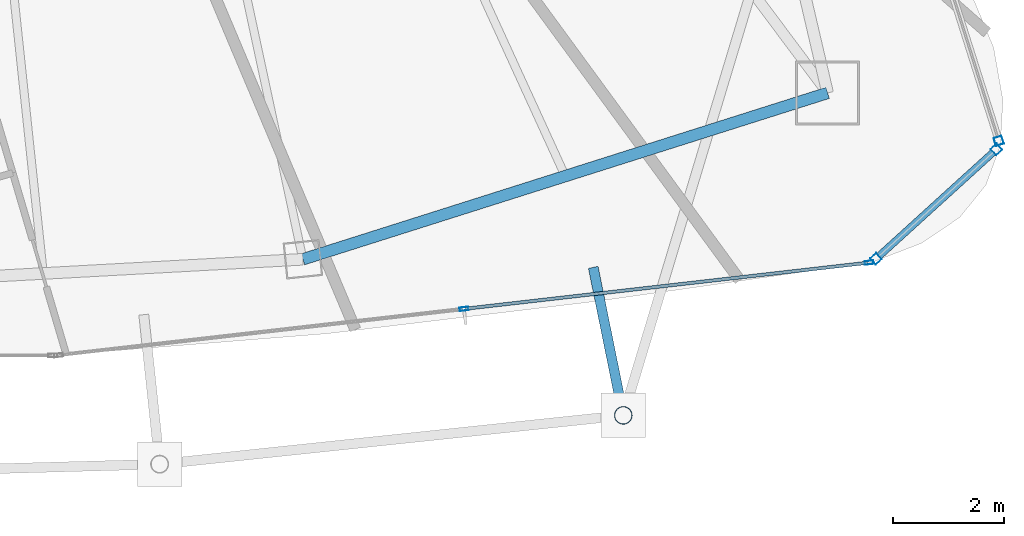
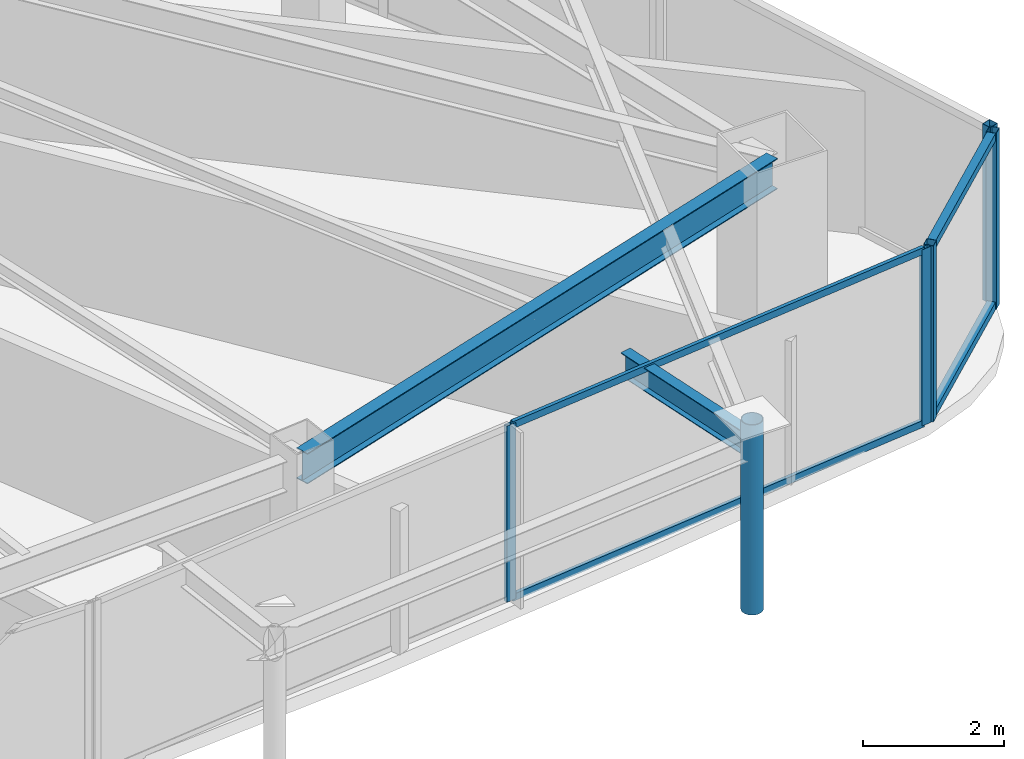
# One storey, part 14 of 28: 10 members, 2 beams, 3 elements without a shape of their own.
"""IFC4 building model written with IfcOpenShell, lengths in metres."""

from ifc_helpers import new_model, si_unit, direction, frame, origin, origin_2d, place, context, subcontext, project, spatial, hollow_rectangle, hollow_circle, i_section, extrude, material, layer, layer_set, material_profile, profile_set, type_object, element, aggregate, save


model = new_model("IFC4")

# Units and contexts
model_context = context("Model", 3, precision=1e-05, world=origin(), true_north=direction((0.0, 1.0)))
body_context = subcontext(model_context, "Body", "Model", "MODEL_VIEW")
ifc_project = project(units=[si_unit("LENGTHUNIT", "METRE"), si_unit("AREAUNIT", "SQUARE_METRE"), si_unit("VOLUMEUNIT", "CUBIC_METRE"), si_unit("PLANEANGLEUNIT", "RADIAN"), si_unit("MASSUNIT", "GRAM", prefix="KILO")], contexts=[model_context])

# Site, building, storey
site_placement = place(None, origin())
site = spatial("IfcSite", under=ifc_project, at=site_placement, CompositionType="ELEMENT")
building_placement = place(site_placement, origin())
building = spatial("IfcBuilding", under=site, at=building_placement, Name="Orvanel Arch Residences", CompositionType="ELEMENT")
storey_placement = place(building_placement, frame((0.0, 0.0, 266.75)))
storey = spatial("IfcBuildingStorey", under=building, at=storey_placement, Name="L76", CompositionType="ELEMENT", Elevation=266.75)

# Curtain wall, members
ifc_material_1 = material(Name="Bronze-anodised aluminium AA6063-T6", Category="aluminium")
ifc_layer_1 = layer(ifc_material_1, 0.18994140625)
ifc_layer_set_1 = layer_set([ifc_layer_1], Name="Bronze-anodised aluminium AA6063-T6")
curtain_wall_type_1 = type_object("IfcCurtainWallType", Name="CW5-CRN-SYS", PredefinedType="NOTDEFINED", material=ifc_layer_set_1)
curtain_wall_1_placement = place(storey_placement, origin())
curtain_wall_1 = element("IfcCurtainWall", 1, at=curtain_wall_1_placement, inside=storey, type_object=curtain_wall_type_1, Name="L76 CW5-CRN-SYS Unitised Curtain Wall", PredefinedType="NOTDEFINED")
ifc_material_profile_1 = material_profile(ifc_material_1, hollow_rectangle(XDim=0.14990234375, YDim=0.14990234375, WallThickness=0.0048828125, at=origin_2d()), Name="ALU150x150x5")
ifc_profile_set_1 = profile_set([ifc_material_profile_1], Name="Bronze-anodised aluminium AA6063-T6")
member_type_1 = type_object("IfcMemberType", Name="MUL-150x150", PredefinedType="MULLION", material=ifc_profile_set_1)
member_1_placement = place(storey_placement, frame((52.672607421875, 7.364501953125, 0.0), z_axis=(0.0, 0.0, 1.0), x_axis=(-0.672365707037, 0.740219127016, 0.0)))
member_1 = element("IfcMember", 2, at=member_1_placement, type_object=member_type_1, Name="CW-S5 mullion 1", PredefinedType="MULLION", context=body_context, shape_type="SweptSolid", body=[
    extrude(hollow_rectangle(XDim=0.14990234375, YDim=0.14990234375, WallThickness=0.0048828125, at=origin_2d()), origin(), (0.0, 0.0, 1.0), 3.06005859375),
])
member_2_placement = place(storey_placement, frame((54.841552734375, 9.33447265625, 0.0), z_axis=(0.0, 0.0, 1.0), x_axis=(-0.672365707037, 0.740219127016, 0.0)))
member_2 = element("IfcMember", 3, at=member_2_placement, type_object=member_type_1, Name="CW-S5 mullion 2", PredefinedType="MULLION", context=body_context, shape_type="SweptSolid", body=[
    extrude(hollow_rectangle(XDim=0.14990234375, YDim=0.14990234375, WallThickness=0.0048828125, at=origin_2d()), origin(), (0.0, 0.0, 1.0), 3.06005859375),
])

# Curtain wall, member
curtain_wall_2_placement = place(storey_placement, origin())
curtain_wall_2 = element("IfcCurtainWall", 4, at=curtain_wall_2_placement, inside=storey, type_object=curtain_wall_type_1, Name="L76 CW5-CRN-SYS Unitised Curtain Wall", PredefinedType="NOTDEFINED")
member_3_placement = place(storey_placement, frame((54.88330078125, 9.488525390625, 0.0), z_axis=(0.0, 0.0, 1.0), x_axis=(-0.953425503375, -0.30162859532, 0.0)))
member_3 = element("IfcMember", 5, at=member_3_placement, type_object=member_type_1, Name="CW-S5 mullion 1", PredefinedType="MULLION", context=body_context, shape_type="SweptSolid", body=[
    extrude(hollow_rectangle(XDim=0.14990234375, YDim=0.14990234375, WallThickness=0.0048828125, at=origin_2d()), origin(), (0.0, 0.0, 1.0), 3.06005859375),
])
aggregate(curtain_wall_2, [member_3])

# Curtain wall, members
ifc_layer_2 = layer(ifc_material_1, 0.175048828125)
ifc_layer_set_2 = layer_set([ifc_layer_2], Name="Bronze-anodised aluminium AA6063-T6")
curtain_wall_type_2 = type_object("IfcCurtainWallType", Name="CW4-HI-SYS", PredefinedType="NOTDEFINED", material=ifc_layer_set_2)
curtain_wall_3_placement = place(storey_placement, origin())
curtain_wall_3 = element("IfcCurtainWall", 6, at=curtain_wall_3_placement, inside=storey, type_object=curtain_wall_type_2, Name="L76 CW4-HI-SYS Unitised Curtain Wall", PredefinedType="NOTDEFINED")
ifc_material_profile_2 = material_profile(ifc_material_1, hollow_rectangle(XDim=0.06494140625, YDim=0.159912109375, WallThickness=0.00390625, at=origin_2d()), Name="ALU160x65x4")
ifc_profile_set_2 = profile_set([ifc_material_profile_2], Name="Bronze-anodised aluminium AA6063-T6")
member_type_2 = type_object("IfcMemberType", Name="MUL-160x65", PredefinedType="MULLION", material=ifc_profile_set_2)
member_4_placement = place(storey_placement, frame((45.25146484375, 6.46142578125, 0.0), z_axis=(0.0, 0.0, 1.0), x_axis=(-0.113510277415, 0.993536822126, 0.0)))
member_4 = element("IfcMember", 7, at=member_4_placement, type_object=member_type_2, Name="CW-S4 mullion 2", PredefinedType="MULLION", context=body_context, shape_type="SweptSolid", body=[
    extrude(hollow_rectangle(XDim=0.06494140625, YDim=0.159912109375, WallThickness=0.00390625, at=origin_2d()), origin(), (0.0, 0.0, 1.0), 3.06005859375),
])
member_5_placement = place(storey_placement, frame((52.5498046875, 7.29541015625, 0.0), z_axis=(0.0, 0.0, 1.0), x_axis=(-0.113510277415, 0.993536822126, 0.0)))
member_5 = element("IfcMember", 8, at=member_5_placement, type_object=member_type_2, Name="CW-S4 mullion 3", PredefinedType="MULLION", context=body_context, shape_type="SweptSolid", body=[
    extrude(hollow_rectangle(XDim=0.06494140625, YDim=0.159912109375, WallThickness=0.00390625, at=origin_2d()), origin(), (0.0, 0.0, 1.0), 3.06005859375),
])

# Beams
ifc_material_2 = material(Name="Structural steel AS/NZS 3679.1 Grade 300 (300 MPa)", Category="steel")
ifc_material_profile_3 = material_profile(ifc_material_2, i_section(OverallWidth=0.177978515625, OverallDepth=0.406005859375, WebThickness=0.0078125, FlangeThickness=0.0126953125, at=origin_2d()), Name="410UB59.7")
ifc_profile_set_3 = profile_set([ifc_material_profile_3], Name="Structural steel AS/NZS 3679.1 Grade 300 (300 MPa)")
beam_type_1 = type_object("IfcBeamType", Name="OB-410UB-EXT", PredefinedType="SPANDREL", material=ifc_profile_set_3)
beam_1_placement = place(storey_placement, frame((47.580078125, 7.2099609375, 2.85693359375), z_axis=(0.198876767768, -0.980024505429, 0.0), x_axis=(0.980024505429, 0.198876767768, 0.0)))
element("IfcBeam", 9, at=beam_1_placement, inside=storey, type_object=beam_type_1, Name="L76 Outer Frame Radial Tie Beam 08", PredefinedType="SPANDREL", context=body_context, shape_type="SweptSolid", body=[
    extrude(i_section(OverallWidth=0.177978515625, OverallDepth=0.406005859375, WebThickness=0.0078125, FlangeThickness=0.0126953125, at=origin_2d()), origin(), (0.0, 0.0, 1.0), 2.720458984375),
])
ifc_material_profile_4 = material_profile(ifc_material_2, i_section(OverallWidth=0.208984375, OverallDepth=0.532958984375, WebThickness=0.01025390625, FlangeThickness=0.015625, at=origin_2d()), Name="530UB92.4")
ifc_profile_set_4 = profile_set([ifc_material_profile_4], Name="Structural steel AS/NZS 3679.1 Grade 300 (300 MPa)")
beam_type_2 = type_object("IfcBeamType", Name="SP-530UB", PredefinedType="SPANDREL", material=ifc_profile_set_4)
beam_2_placement = place(storey_placement, frame((42.35107421875, 7.35498046875, 2.79296875), z_axis=(0.953237386592, 0.302222574941, 0.0), x_axis=(-0.302222574941, 0.953237386592, 0.0)))
element("IfcBeam", 10, at=beam_2_placement, inside=storey, type_object=beam_type_2, Name="L76 Perimeter Spandrel Beam 05", PredefinedType="SPANDREL", context=body_context, shape_type="SweptSolid", body=[
    extrude(i_section(OverallWidth=0.208984375, OverallDepth=0.532958984375, WebThickness=0.01025390625, FlangeThickness=0.015625, at=origin_2d()), origin(), (0.0, 0.0, 1.0), 9.91357421875),
])

# Member
ifc_material_3 = material(Name="Structural steel AS/NZS 1163 C350L0 (Grade 350)", Category="steel")
ifc_material_profile_5 = material_profile(ifc_material_3, hollow_circle(Radius=0.162109375, WallThickness=0.0126953125, at=origin_2d()), Name="CHS324x12.7")
ifc_profile_set_5 = profile_set([ifc_material_profile_5], Name="Structural steel AS/NZS 1163 C350L0 (Grade 350)")
member_type_3 = type_object("IfcMemberType", Name="ST-324CHS-EXT", PredefinedType="STRUT", material=ifc_profile_set_5)
member_6_placement = place(storey_placement, frame((48.12109375, 4.5439453125, 0.0), z_axis=(0.0, 0.0, 1.0), x_axis=(1.0, 0.0, 0.0)))
element("IfcMember", 11, at=member_6_placement, inside=storey, type_object=member_type_3, Name="L76 Outer Perimeter Frame Post 08", PredefinedType="STRUT", context=body_context, shape_type="SweptSolid", body=[
    extrude(hollow_circle(Radius=0.162109375, WallThickness=0.0126953125, at=origin_2d()), origin(), (0.0, 0.0, 1.0), 3.300048828125),
])

ifc_material_profile_6 = material_profile(ifc_material_1, hollow_rectangle(XDim=0.06005859375, YDim=0.1201171875, WallThickness=0.00341796875, at=origin_2d()), Name="ALU120x60x3.5")
ifc_profile_set_6 = profile_set([ifc_material_profile_6], Name="Bronze-anodised aluminium AA6063-T6")
member_type_4 = type_object("IfcMemberType", Name="TRN-120x60", PredefinedType="USERDEFINED", material=ifc_profile_set_6)
member_7_placement = place(storey_placement, frame((45.28369140625, 6.465087890625, 0.030029296875), z_axis=(0.993537103282, 0.113507816484, 0.0), x_axis=(-0.113507816484, 0.993537103282, 0.0)))
member_7 = element("IfcMember", 12, at=member_7_placement, type_object=member_type_4, Name="CW-S4 transom 2.1", ObjectType="TRANSOM", PredefinedType="USERDEFINED", context=body_context, shape_type="SweptSolid", body=[
    extrude(hollow_rectangle(XDim=0.06005859375, YDim=0.1201171875, WallThickness=0.00341796875, at=origin_2d()), origin(), (0.0, 0.0, 1.0), 7.28076171875),
])

member_8_placement = place(storey_placement, frame((45.28369140625, 6.465087890625, 3.030029296875), z_axis=(0.993537103282, 0.113507816484, 0.0), x_axis=(-0.113507816484, 0.993537103282, 0.0)))
member_8 = element("IfcMember", 13, at=member_8_placement, type_object=member_type_4, Name="CW-S4 transom 2.2", ObjectType="TRANSOM", PredefinedType="USERDEFINED", context=body_context, shape_type="SweptSolid", body=[
    extrude(hollow_rectangle(XDim=0.06005859375, YDim=0.1201171875, WallThickness=0.00341796875, at=origin_2d()), origin(), (0.0, 0.0, 1.0), 7.28076171875),
])

aggregate(curtain_wall_3, [member_4, member_5, member_7, member_8])

ifc_material_profile_7 = material_profile(ifc_material_1, hollow_rectangle(XDim=0.1298828125, YDim=0.1298828125, WallThickness=0.00439453125, at=origin_2d()), Name="ALU130x130x4.5")
ifc_profile_set_7 = profile_set([ifc_material_profile_7], Name="Bronze-anodised aluminium AA6063-T6")
member_type_5 = type_object("IfcMemberType", Name="TRN-130x130", PredefinedType="USERDEFINED", material=ifc_profile_set_7)
member_9_placement = place(storey_placement, frame((52.72802734375, 7.414794921875, 0.06494140625), z_axis=(0.74019035374, 0.672397382677, 0.0), x_axis=(-0.672397382677, 0.74019035374, 0.0)))
member_9 = element("IfcMember", 14, at=member_9_placement, type_object=member_type_5, Name="CW-S5 transom 1.1", ObjectType="TRANSOM", PredefinedType="USERDEFINED", context=body_context, shape_type="SweptSolid", body=[
    extrude(hollow_rectangle(XDim=0.1298828125, YDim=0.1298828125, WallThickness=0.00439453125, at=origin_2d()), origin(), (0.0, 0.0, 1.0), 2.7802734375),
])

member_10_placement = place(storey_placement, frame((52.72802734375, 7.414794921875, 2.9951171875), z_axis=(0.74019035374, 0.672397382677, 0.0), x_axis=(-0.672397382677, 0.74019035374, 0.0)))
member_10 = element("IfcMember", 15, at=member_10_placement, type_object=member_type_5, Name="CW-S5 transom 1.2", ObjectType="TRANSOM", PredefinedType="USERDEFINED", context=body_context, shape_type="SweptSolid", body=[
    extrude(hollow_rectangle(XDim=0.1298828125, YDim=0.1298828125, WallThickness=0.00439453125, at=origin_2d()), origin(), (0.0, 0.0, 1.0), 2.7802734375),
])

aggregate(curtain_wall_1, [member_1, member_2, member_9, member_10])

save(model, "model.ifc")
